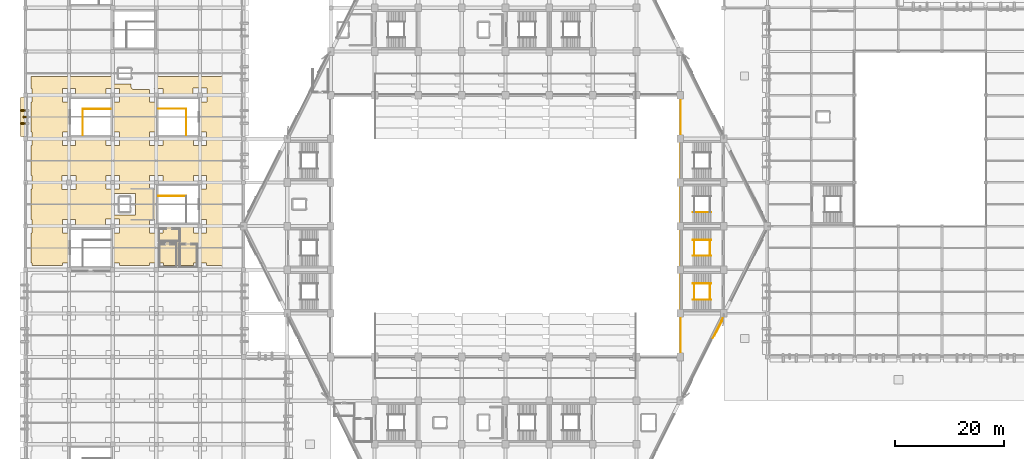
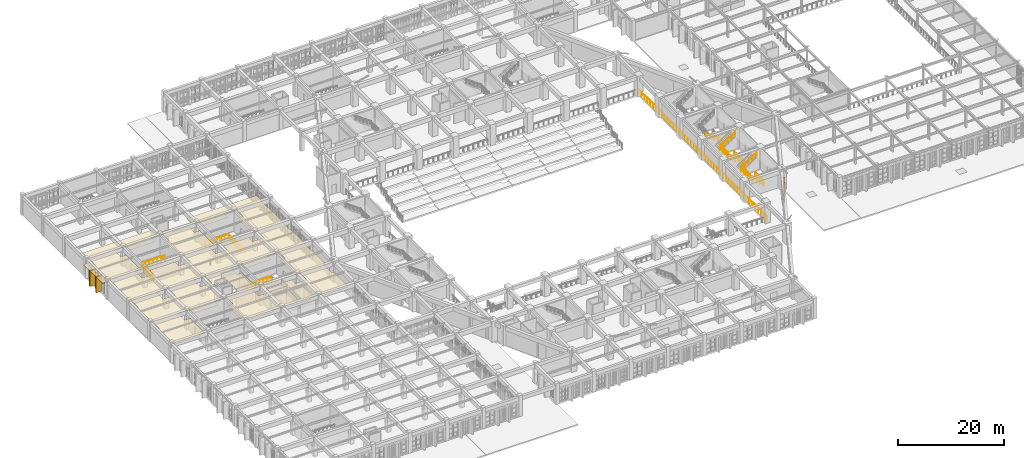
# One storey, part 150 of 155: 15 railings, 5 coverings, 2 shading devices.
"""IFC4 building model written with IfcOpenShell, lengths in metres."""

from ifc_helpers import new_model, si_unit, direction, frame, origin, origin_2d, place, context, subcontext, project, spatial, polyline, rectangle, circle, outline, extrude, material, layer, layer_set, type_object, element, save


model = new_model("IFC4")

# Units and contexts
model_context = context("Model", 3, precision=1e-05, world=origin(), true_north=direction((0.0, 1.0)))
body_context = subcontext(model_context, "Body", "Model", "MODEL_VIEW")
ifc_project = project(units=[si_unit("LENGTHUNIT", "METRE"), si_unit("AREAUNIT", "SQUARE_METRE"), si_unit("VOLUMEUNIT", "CUBIC_METRE"), si_unit("PLANEANGLEUNIT", "RADIAN"), si_unit("MASSUNIT", "GRAM", prefix="KILO")], contexts=[model_context])

# Site, building, storey
site_placement = place(None, origin())
site = spatial("IfcSite", under=ifc_project, at=site_placement, CompositionType="ELEMENT")
building_placement = place(site_placement, origin())
building = spatial("IfcBuilding", under=site, at=building_placement, Name="Tazarka Park Arena", CompositionType="ELEMENT")
storey_placement = place(building_placement, frame((0.0, 0.0, 5.39990234375)))
storey = spatial("IfcBuildingStorey", under=building, at=storey_placement, Name="L01", CompositionType="ELEMENT", Elevation=5.39990234375)

# Coverings
ifc_material_1 = material(Name="Dark ribbed perforated bronze-charcoal aluminium mesh", Category="aluminium")
ifc_layer_1 = layer(ifc_material_1, 0.06005859375, Name="Dark ribbed perforated bronze-charcoal aluminium mesh")
ifc_layer_set_1 = layer_set([ifc_layer_1], Name="Dark ribbed perforated bronze-charcoal aluminium mesh")
covering_type_1 = type_object("IfcCoveringType", Name="CLD-01", PredefinedType="CLADDING", material=ifc_layer_set_1)
covering_1_placement = place(storey_placement, frame((126.897216796875, 45.269287109375, 0.0), z_axis=(0.0, 0.0, 1.0), x_axis=(-0.447290848419, -0.89438856037, 0.0)))
element("IfcCovering", 1, at=covering_1_placement, inside=storey, type_object=covering_type_1, Name="Ribbed Metal Mesh Cladding EW-L01-0159", PredefinedType="CLADDING", context=body_context, shape_type="SweptSolid", body=[
    extrude(rectangle(XDim=4.05078125, YDim=0.06005859375, at=origin_2d()), origin(), (0.0, 0.0, 1.0), 3.449951171875),
])
for number, where, z_axis, x_axis, name in (
    (2, (-0.330078125, 82.818359375, 0.0), (0.0, 0.0, 1.0), (0.0, 1.0, 0.0), "Brutalist Precast Brise-Soleil Blade L01-136-1"),
    (3, (-0.330078125, 85.181640625, 0.0), (0.0, 0.0, 1.0), (0.0, 1.0, 0.0), "Brutalist Precast Brise-Soleil Blade L01-136-2"),
):
    element("IfcCovering", number, at=place(storey_placement, frame(where, z_axis=z_axis, x_axis=x_axis)), inside=storey, type_object=covering_type_1, Name=name, PredefinedType="CLADDING", context=body_context, shape_type="SweptSolid", body=[
        extrude(rectangle(XDim=0.320068359375, YDim=1.300048828125, at=origin_2d()), origin(), (0.0, 0.0, 1.0), 3.60009765625),
    ])
ifc_material_2 = material(Name="Linear slatted timber-acoustic ceiling", Category="wood")
ifc_layer_2 = layer(ifc_material_2, 0.050048828125, Name="Linear slatted timber-acoustic ceiling")
ifc_layer_set_2 = layer_set([ifc_layer_2], Name="Linear slatted timber-acoustic ceiling")
covering_type_2 = type_object("IfcCoveringType", Name="CLG-02", PredefinedType="CEILING", material=ifc_layer_set_2)
covering_2_placement = place(storey_placement, frame((0.0, 0.0, 3.10009765625)))
element("IfcCovering", 4, at=covering_2_placement, inside=storey, type_object=covering_type_2, Name="Acoustic Ceiling West Park Club Lounge 4", PredefinedType="CEILING", context=body_context, shape_type="SweptSolid", body=[
    extrude(outline(polyline([(16.199951171875, 91.449951171875), (16.199951171875, 90.0), (19.360595703125, 90.0), (19.360595703125, 89.586181640625), (19.36279296875, 89.5419921875), (19.369384765625, 89.498291015625), (19.380126953125, 89.45556640625), (19.39501953125, 89.4140625), (19.413818359375, 89.374267578125), (19.46435546875, 89.27978515625), (19.48876953125, 89.2392578125), (19.517333984375, 89.201416015625), (19.5498046875, 89.1669921875), (19.58544921875, 89.135986328125), (19.62451171875, 89.109130859375), (19.666015625, 89.08642578125), (19.70947265625, 89.068115234375), (19.79833984375, 89.036376953125), (19.8359375, 89.024658203125), (19.87451171875, 89.016357421875), (19.913818359375, 89.011474609375), (19.953125, 89.010009765625), (22.77490234375, 89.0302734375), (22.77490234375, 86.77490234375), (23.89990234375, 86.77490234375), (23.89990234375, 81.22509765625), (22.77490234375, 81.22509765625), (22.77490234375, 78.77490234375), (25.22509765625, 78.77490234375), (25.22509765625, 80.199951171875), (30.77490234375, 80.199951171875), (30.77490234375, 78.77490234375), (33.22509765625, 78.77490234375), (33.22509765625, 81.22509765625), (32.10009765625, 81.22509765625), (32.10009765625, 86.72509765625), (33.27490234375, 86.72509765625), (33.27490234375, 89.27490234375), (30.72509765625, 89.27490234375), (30.72509765625, 87.800048828125), (25.22509765625, 87.800048828125), (25.22509765625, 89.22509765625), (23.595703125, 89.22509765625), (23.602294921875, 89.23388671875), (23.624755859375, 89.271484375), (23.68701171875, 89.387939453125), (23.705810546875, 89.427734375), (23.720703125, 89.469482421875), (23.7314453125, 89.51220703125), (23.73779296875, 89.555908203125), (23.739990234375, 89.60009765625), (23.739990234375, 91.449951171875), (38.949951171875, 91.449951171875), (38.949951171875, 89.22509765625), (38.77490234375, 89.22509765625), (38.77490234375, 86.77490234375), (38.949951171875, 86.77490234375), (38.949951171875, 81.27490234375), (38.72509765625, 81.27490234375), (38.72509765625, 78.72509765625), (38.949951171875, 78.72509765625), (38.949951171875, 73.22509765625), (38.77490234375, 73.22509765625), (38.77490234375, 70.77490234375), (38.949951171875, 70.77490234375), (38.949951171875, 65.550048828125), (38.550048828125, 65.550048828125), (38.550048828125, 62.449951171875), (38.949951171875, 62.449951171875), (38.949951171875, 57.22509765625), (38.77490234375, 57.22509765625), (38.77490234375, 56.75), (33.22509765625, 56.75), (33.22509765625, 57.22509765625), (30.77490234375, 57.22509765625), (30.77490234375, 56.75), (25.27490234375, 56.75), (25.27490234375, 57.27490234375), (22.72509765625, 57.27490234375), (22.72509765625, 56.75), (17.22509765625, 56.75), (17.22509765625, 57.22509765625), (16.10009765625, 57.22509765625), (16.10009765625, 62.72509765625), (17.27490234375, 62.72509765625), (17.27490234375, 65.27490234375), (14.72509765625, 65.27490234375), (14.72509765625, 63.800048828125), (9.22509765625, 63.800048828125), (9.22509765625, 65.22509765625), (6.77490234375, 65.22509765625), (6.77490234375, 62.77490234375), (7.89990234375, 62.77490234375), (7.89990234375, 57.22509765625), (6.77490234375, 57.22509765625), (6.77490234375, 56.75), (1.22509765625, 56.75), (1.22509765625, 57.22509765625), (1.050048828125, 57.22509765625), (1.050048828125, 62.77490234375), (1.22509765625, 62.77490234375), (1.22509765625, 65.22509765625), (1.050048828125, 65.22509765625), (1.050048828125, 70.77490234375), (1.22509765625, 70.77490234375), (1.22509765625, 73.22509765625), (1.050048828125, 73.22509765625), (1.050048828125, 78.77490234375), (1.22509765625, 78.77490234375), (1.22509765625, 81.22509765625), (1.050048828125, 81.22509765625), (1.050048828125, 86.77490234375), (1.22509765625, 86.77490234375), (1.22509765625, 89.22509765625), (1.050048828125, 89.22509765625), (1.050048828125, 91.449951171875), (16.199951171875, 91.449951171875)]), holes=[polyline([(20.199951171875, 66.0), (20.199951171875, 70.0), (16.199951171875, 70.0), (16.199951171875, 66.0), (20.199951171875, 66.0)]), polyline([(17.22509765625, 70.77490234375), (17.22509765625, 73.22509765625), (14.77490234375, 73.22509765625), (14.77490234375, 70.77490234375), (17.22509765625, 70.77490234375)]), polyline([(9.27490234375, 73.27490234375), (6.72509765625, 73.27490234375), (6.72509765625, 70.72509765625), (9.27490234375, 70.72509765625), (9.27490234375, 73.27490234375)]), polyline([(9.22509765625, 80.199951171875), (14.77490234375, 80.199951171875), (14.77490234375, 78.77490234375), (17.22509765625, 78.77490234375), (17.22509765625, 81.22509765625), (16.10009765625, 81.22509765625), (16.10009765625, 86.77490234375), (17.22509765625, 86.77490234375), (17.22509765625, 89.22509765625), (14.77490234375, 89.22509765625), (14.77490234375, 87.800048828125), (9.22509765625, 87.800048828125), (9.22509765625, 89.22509765625), (6.77490234375, 89.22509765625), (6.77490234375, 86.77490234375), (7.89990234375, 86.77490234375), (7.89990234375, 81.22509765625), (6.77490234375, 81.22509765625), (6.77490234375, 78.77490234375), (9.22509765625, 78.77490234375), (9.22509765625, 80.199951171875)]), polyline([(25.22509765625, 73.22509765625), (22.77490234375, 73.22509765625), (22.77490234375, 70.77490234375), (23.89990234375, 70.77490234375), (23.89990234375, 65.22509765625), (22.77490234375, 65.22509765625), (22.77490234375, 62.77490234375), (25.22509765625, 62.77490234375), (25.22509765625, 64.199951171875), (30.77490234375, 64.199951171875), (30.77490234375, 62.77490234375), (33.22509765625, 62.77490234375), (33.22509765625, 65.22509765625), (32.10009765625, 65.22509765625), (32.10009765625, 70.77490234375), (33.22509765625, 70.77490234375), (33.22509765625, 73.22509765625), (30.77490234375, 73.22509765625), (30.77490234375, 71.800048828125), (25.22509765625, 71.800048828125), (25.22509765625, 73.22509765625)])]), origin(), (0.0, 0.0, 1.0), 0.050048828125),
])

# Railings
ifc_material_3 = material(Name="Brushed architectural stainless steel", Category="steel")
railing_type_1 = type_object("IfcRailingType", Name="HR-01", PredefinedType="HANDRAIL", material=ifc_material_3)
railing_1_placement = place(storey_placement, frame((125.68505859375, 58.550048828125, 0.0)))
element("IfcRailing", 5, at=railing_1_placement, inside=storey, type_object=railing_type_1, Name="Stair Handrail ST12-L01-F1", PredefinedType="HANDRAIL", context=body_context, shape_type="SweptSolid", body=[
    extrude(circle(Radius=0.02392578125, at=origin_2d()), frame((0.0, 0.0, 0.89599609375), z_axis=(-0.809980229442, 0.0, 0.586457183359), x_axis=(0.0, -1.0, 0.0)), (0.0, 0.0, 1.0), 4.092529296875),
    extrude(circle(Radius=0.02099609375, at=origin_2d()), origin(), (0.0, 0.0, 1.0), 0.871826171875),
    extrude(circle(Radius=0.02099609375, at=origin_2d()), frame((-0.82861328125, 0.0, 0.60009765625)), (0.0, 0.0, 1.0), 0.871826171875),
    extrude(circle(Radius=0.02099609375, at=origin_2d()), frame((-1.657470703125, 0.0, 1.2001953125)), (0.0, 0.0, 1.0), 0.871826171875),
    extrude(circle(Radius=0.02099609375, at=origin_2d()), frame((-2.486328125, 0.0, 1.800048828125)), (0.0, 0.0, 1.0), 0.871826171875),
    extrude(circle(Radius=0.02099609375, at=origin_2d()), frame((-3.31494140625, 0.0, 2.400146484375)), (0.0, 0.0, 1.0), 0.871826171875),
])
railing_2_placement = place(storey_placement, frame((122.3701171875, 61.449951171875, 2.400146484375)))
element("IfcRailing", 6, at=railing_2_placement, inside=storey, type_object=railing_type_1, Name="Stair Handrail ST12-L01-F2", PredefinedType="HANDRAIL", context=body_context, shape_type="SweptSolid", body=[
    extrude(circle(Radius=0.02392578125, at=origin_2d()), frame((0.0, 0.0, 0.89599609375), z_axis=(0.810008566192, 0.0, 0.586418044312), x_axis=(0.0, 1.0, 0.0)), (0.0, 0.0, 1.0), 4.092529296875),
    extrude(circle(Radius=0.02099609375, at=origin_2d()), origin(), (0.0, 0.0, 1.0), 0.871826171875),
    extrude(circle(Radius=0.02099609375, at=origin_2d()), frame((0.82861328125, 0.0, 0.60009765625)), (0.0, 0.0, 1.0), 0.871826171875),
    extrude(circle(Radius=0.02099609375, at=origin_2d()), frame((1.657470703125, 0.0, 1.199951171875)), (0.0, 0.0, 1.0), 0.871826171875),
    extrude(circle(Radius=0.02099609375, at=origin_2d()), frame((2.486328125, 0.0, 1.7998046875)), (0.0, 0.0, 1.0), 0.871826171875),
    extrude(circle(Radius=0.02099609375, at=origin_2d()), frame((3.31494140625, 0.0, 2.39990234375)), (0.0, 0.0, 1.0), 0.871826171875),
])
for number, where, name in (
    (7, (125.68505859375, 66.550048828125, 0.0), "Stair Handrail ST16-L01-F1"),
    (8, (125.68505859375, 50.510009765625, 0.0), "Stair Handrail ST21-L01-F1"),
):
    element("IfcRailing", number, at=place(storey_placement, frame(where)), inside=storey, type_object=railing_type_1, Name=name, PredefinedType="HANDRAIL", context=body_context, shape_type="SweptSolid", body=[
        extrude(circle(Radius=0.02392578125, at=origin_2d()), frame((0.0, 0.0, 0.89599609375), z_axis=(-0.809980229442, 0.0, 0.586457183359), x_axis=(0.0, -1.0, 0.0)), (0.0, 0.0, 1.0), 4.092529296875),
        extrude(circle(Radius=0.02099609375, at=origin_2d()), origin(), (0.0, 0.0, 1.0), 0.871826171875),
        extrude(circle(Radius=0.02099609375, at=origin_2d()), frame((-0.82861328125, 0.0, 0.60009765625)), (0.0, 0.0, 1.0), 0.871826171875),
        extrude(circle(Radius=0.02099609375, at=origin_2d()), frame((-1.657470703125, 0.0, 1.2001953125)), (0.0, 0.0, 1.0), 0.871826171875),
        extrude(circle(Radius=0.02099609375, at=origin_2d()), frame((-2.486328125, 0.0, 1.800048828125)), (0.0, 0.0, 1.0), 0.871826171875),
        extrude(circle(Radius=0.02099609375, at=origin_2d()), frame((-3.31494140625, 0.0, 2.400146484375)), (0.0, 0.0, 1.0), 0.871826171875),
    ])
railing_3_placement = place(storey_placement, frame((122.3701171875, 53.489990234375, 2.400146484375)))
element("IfcRailing", 9, at=railing_3_placement, inside=storey, type_object=railing_type_1, Name="Stair Handrail ST21-L01-F2", PredefinedType="HANDRAIL", context=body_context, shape_type="SweptSolid", body=[
    extrude(circle(Radius=0.02392578125, at=origin_2d()), frame((0.0, 0.0, 0.89599609375), z_axis=(0.810008566192, 0.0, 0.586418044312), x_axis=(0.0, 1.0, 0.0)), (0.0, 0.0, 1.0), 4.092529296875),
    extrude(circle(Radius=0.02099609375, at=origin_2d()), origin(), (0.0, 0.0, 1.0), 0.871826171875),
    extrude(circle(Radius=0.02099609375, at=origin_2d()), frame((0.82861328125, 0.0, 0.60009765625)), (0.0, 0.0, 1.0), 0.871826171875),
    extrude(circle(Radius=0.02099609375, at=origin_2d()), frame((1.657470703125, 0.0, 1.199951171875)), (0.0, 0.0, 1.0), 0.871826171875),
    extrude(circle(Radius=0.02099609375, at=origin_2d()), frame((2.486328125, 0.0, 1.7998046875)), (0.0, 0.0, 1.0), 0.871826171875),
    extrude(circle(Radius=0.02099609375, at=origin_2d()), frame((3.31494140625, 0.0, 2.39990234375)), (0.0, 0.0, 1.0), 0.871826171875),
])
ifc_material_4 = material(Name="Galvanised powder-coated architectural steel", Category="steel")
railing_type_2 = type_object("IfcRailingType", Name="IGR-01", PredefinedType="GUARDRAIL", material=ifc_material_4)
railing_4_placement = place(storey_placement, frame((10.514892578125, 80.679931640625, 0.0)))
element("IfcRailing", 10, at=railing_4_placement, inside=storey, type_object=railing_type_2, Name="Stair Well Guardrail ST02-L01", PredefinedType="GUARDRAIL", context=body_context, shape_type="SweptSolid", body=[
    extrude(circle(Radius=0.02392578125, at=origin_2d()), frame((0.0, 0.0, 1.1259765625), z_axis=(0.0, 1.0, 0.0), x_axis=(-1.0, 0.0, 0.0)), (0.0, 0.0, 1.0), 4.77001953125),
    extrude(circle(Radius=0.02099609375, at=origin_2d()), origin(), (0.0, 0.0, 1.0), 1.101806640625),
    extrude(circle(Radius=0.02099609375, at=origin_2d()), frame((0.0, 0.794921875, 0.0)), (0.0, 0.0, 1.0), 1.101806640625),
    extrude(circle(Radius=0.02099609375, at=origin_2d()), frame((0.0, 1.590087890625, 0.0)), (0.0, 0.0, 1.0), 1.101806640625),
    extrude(circle(Radius=0.02099609375, at=origin_2d()), frame((0.0, 2.385009765625, 0.0)), (0.0, 0.0, 1.0), 1.101806640625),
    extrude(circle(Radius=0.02099609375, at=origin_2d()), frame((0.0, 3.179931640625, 0.0)), (0.0, 0.0, 1.0), 1.101806640625),
    extrude(circle(Radius=0.02099609375, at=origin_2d()), frame((0.0, 3.97509765625, 0.0)), (0.0, 0.0, 1.0), 1.101806640625),
    extrude(circle(Radius=0.02099609375, at=origin_2d()), frame((0.0, 4.77001953125, 0.0)), (0.0, 0.0, 1.0), 1.101806640625),
])
railing_5_placement = place(storey_placement, frame((10.514892578125, 85.449951171875, 0.0)))
element("IfcRailing", 11, at=railing_5_placement, inside=storey, type_object=railing_type_2, Name="Top Well Guardrail ST02-L01", PredefinedType="GUARDRAIL", context=body_context, shape_type="SweptSolid", body=[
    extrude(circle(Radius=0.02392578125, at=origin_2d()), frame((0.0, 0.0, 1.1259765625), z_axis=(1.0, 0.0, 0.0), x_axis=(0.0, 1.0, 0.0)), (0.0, 0.0, 1.0), 5.105224609375),
    extrude(circle(Radius=0.02099609375, at=origin_2d()), origin(), (0.0, 0.0, 1.0), 1.101806640625),
    extrude(circle(Radius=0.02099609375, at=origin_2d()), frame((0.850830078125, 0.0, 0.0)), (0.0, 0.0, 1.0), 1.101806640625),
    extrude(circle(Radius=0.02099609375, at=origin_2d()), frame((1.70166015625, 0.0, 0.0)), (0.0, 0.0, 1.0), 1.101806640625),
    extrude(circle(Radius=0.02099609375, at=origin_2d()), frame((2.552734375, 0.0, 0.0)), (0.0, 0.0, 1.0), 1.101806640625),
    extrude(circle(Radius=0.02099609375, at=origin_2d()), frame((3.403564453125, 0.0, 0.0)), (0.0, 0.0, 1.0), 1.101806640625),
    extrude(circle(Radius=0.02099609375, at=origin_2d()), frame((4.25439453125, 0.0, 0.0)), (0.0, 0.0, 1.0), 1.101806640625),
    extrude(circle(Radius=0.02099609375, at=origin_2d()), frame((5.105224609375, 0.0, 0.0)), (0.0, 0.0, 1.0), 1.101806640625),
])
for number, where, name in (
    (12, (125.485107421875, 58.550048828125, 0.0), "Stair Well Guardrail ST12-L01"),
    (13, (122.570068359375, 58.550048828125, 2.400146484375), "Landing Guardrail ST12-L01-M"),
):
    element("IfcRailing", number, at=place(storey_placement, frame(where)), inside=storey, type_object=railing_type_2, Name=name, PredefinedType="GUARDRAIL", context=body_context, shape_type="SweptSolid", body=[
        extrude(circle(Radius=0.02392578125, at=origin_2d()), frame((0.0, 0.0, 1.1259765625), z_axis=(0.0, 1.0, 0.0), x_axis=(-1.0, 0.0, 0.0)), (0.0, 0.0, 1.0), 2.89990234375),
        extrude(circle(Radius=0.02099609375, at=origin_2d()), origin(), (0.0, 0.0, 1.0), 1.101806640625),
        extrude(circle(Radius=0.02099609375, at=origin_2d()), frame((0.0, 0.72509765625, 0.0)), (0.0, 0.0, 1.0), 1.101806640625),
        extrude(circle(Radius=0.02099609375, at=origin_2d()), frame((0.0, 1.449951171875, 0.0)), (0.0, 0.0, 1.0), 1.101806640625),
        extrude(circle(Radius=0.02099609375, at=origin_2d()), frame((0.0, 2.1748046875, 0.0)), (0.0, 0.0, 1.0), 1.101806640625),
        extrude(circle(Radius=0.02099609375, at=origin_2d()), frame((0.0, 2.89990234375, 0.0)), (0.0, 0.0, 1.0), 1.101806640625),
    ])
for number, where, name in (
    (14, (125.485107421875, 50.510009765625, 0.0), "Stair Well Guardrail ST21-L01"),
    (15, (122.570068359375, 50.510009765625, 2.400146484375), "Landing Guardrail ST21-L01-M"),
):
    element("IfcRailing", number, at=place(storey_placement, frame(where)), inside=storey, type_object=railing_type_2, Name=name, PredefinedType="GUARDRAIL", context=body_context, shape_type="SweptSolid", body=[
        extrude(circle(Radius=0.02392578125, at=origin_2d()), frame((0.0, 0.0, 1.1259765625), z_axis=(0.0, 1.0, 0.0), x_axis=(-1.0, 0.0, 0.0)), (0.0, 0.0, 1.0), 2.97998046875),
        extrude(circle(Radius=0.02099609375, at=origin_2d()), origin(), (0.0, 0.0, 1.0), 1.101806640625),
        extrude(circle(Radius=0.02099609375, at=origin_2d()), frame((0.0, 0.7451171875, 0.0)), (0.0, 0.0, 1.0), 1.101806640625),
        extrude(circle(Radius=0.02099609375, at=origin_2d()), frame((0.0, 1.489990234375, 0.0)), (0.0, 0.0, 1.0), 1.101806640625),
        extrude(circle(Radius=0.02099609375, at=origin_2d()), frame((0.0, 2.23486328125, 0.0)), (0.0, 0.0, 1.0), 1.101806640625),
        extrude(circle(Radius=0.02099609375, at=origin_2d()), frame((0.0, 2.97998046875, 0.0)), (0.0, 0.0, 1.0), 1.101806640625),
    ])
railing_6_placement = place(storey_placement, frame((29.485107421875, 69.489990234375, 0.0)))
element("IfcRailing", 16, at=railing_6_placement, inside=storey, type_object=railing_type_2, Name="Top Well Guardrail ST24-L01", PredefinedType="GUARDRAIL", context=body_context, shape_type="SweptSolid", body=[
    extrude(circle(Radius=0.02392578125, at=origin_2d()), frame((0.0, 0.0, 1.1259765625), z_axis=(-1.0, 0.0, 0.0), x_axis=(0.0, -1.0, 0.0)), (0.0, 0.0, 1.0), 5.105224609375),
    extrude(circle(Radius=0.02099609375, at=origin_2d()), origin(), (0.0, 0.0, 1.0), 1.101806640625),
    extrude(circle(Radius=0.02099609375, at=origin_2d()), frame((-0.850830078125, 0.0, 0.0)), (0.0, 0.0, 1.0), 1.101806640625),
    extrude(circle(Radius=0.02099609375, at=origin_2d()), frame((-1.70166015625, 0.0, 0.0)), (0.0, 0.0, 1.0), 1.101806640625),
    extrude(circle(Radius=0.02099609375, at=origin_2d()), frame((-2.552734375, 0.0, 0.0)), (0.0, 0.0, 1.0), 1.101806640625),
    extrude(circle(Radius=0.02099609375, at=origin_2d()), frame((-3.403564453125, 0.0, 0.0)), (0.0, 0.0, 1.0), 1.101806640625),
    extrude(circle(Radius=0.02099609375, at=origin_2d()), frame((-4.25439453125, 0.0, 0.0)), (0.0, 0.0, 1.0), 1.101806640625),
    extrude(circle(Radius=0.02099609375, at=origin_2d()), frame((-5.105224609375, 0.0, 0.0)), (0.0, 0.0, 1.0), 1.101806640625),
])
railing_7_placement = place(storey_placement, frame((29.485107421875, 80.679931640625, 0.0)))
element("IfcRailing", 17, at=railing_7_placement, inside=storey, type_object=railing_type_2, Name="Stair Well Guardrail ST26-L01", PredefinedType="GUARDRAIL", context=body_context, shape_type="SweptSolid", body=[
    extrude(circle(Radius=0.02392578125, at=origin_2d()), frame((0.0, 0.0, 1.1259765625), z_axis=(0.0, 1.0, 0.0), x_axis=(-1.0, 0.0, 0.0)), (0.0, 0.0, 1.0), 4.81005859375),
    extrude(circle(Radius=0.02099609375, at=origin_2d()), origin(), (0.0, 0.0, 1.0), 1.101806640625),
    extrude(circle(Radius=0.02099609375, at=origin_2d()), frame((0.0, 0.8017578125, 0.0)), (0.0, 0.0, 1.0), 1.101806640625),
    extrude(circle(Radius=0.02099609375, at=origin_2d()), frame((0.0, 1.603271484375, 0.0)), (0.0, 0.0, 1.0), 1.101806640625),
    extrude(circle(Radius=0.02099609375, at=origin_2d()), frame((0.0, 2.405029296875, 0.0)), (0.0, 0.0, 1.0), 1.101806640625),
    extrude(circle(Radius=0.02099609375, at=origin_2d()), frame((0.0, 3.206787109375, 0.0)), (0.0, 0.0, 1.0), 1.101806640625),
    extrude(circle(Radius=0.02099609375, at=origin_2d()), frame((0.0, 4.00830078125, 0.0)), (0.0, 0.0, 1.0), 1.101806640625),
    extrude(circle(Radius=0.02099609375, at=origin_2d()), frame((0.0, 4.81005859375, 0.0)), (0.0, 0.0, 1.0), 1.101806640625),
])
railing_8_placement = place(storey_placement, frame((29.485107421875, 85.489990234375, 0.0)))
element("IfcRailing", 18, at=railing_8_placement, inside=storey, type_object=railing_type_2, Name="Top Well Guardrail ST26-L01", PredefinedType="GUARDRAIL", context=body_context, shape_type="SweptSolid", body=[
    extrude(circle(Radius=0.02392578125, at=origin_2d()), frame((0.0, 0.0, 1.1259765625), z_axis=(-1.0, 0.0, 0.0), x_axis=(0.0, -1.0, 0.0)), (0.0, 0.0, 1.0), 5.105224609375),
    extrude(circle(Radius=0.02099609375, at=origin_2d()), origin(), (0.0, 0.0, 1.0), 1.101806640625),
    extrude(circle(Radius=0.02099609375, at=origin_2d()), frame((-0.850830078125, 0.0, 0.0)), (0.0, 0.0, 1.0), 1.101806640625),
    extrude(circle(Radius=0.02099609375, at=origin_2d()), frame((-1.70166015625, 0.0, 0.0)), (0.0, 0.0, 1.0), 1.101806640625),
    extrude(circle(Radius=0.02099609375, at=origin_2d()), frame((-2.552734375, 0.0, 0.0)), (0.0, 0.0, 1.0), 1.101806640625),
    extrude(circle(Radius=0.02099609375, at=origin_2d()), frame((-3.403564453125, 0.0, 0.0)), (0.0, 0.0, 1.0), 1.101806640625),
    extrude(circle(Radius=0.02099609375, at=origin_2d()), frame((-4.25439453125, 0.0, 0.0)), (0.0, 0.0, 1.0), 1.101806640625),
    extrude(circle(Radius=0.02099609375, at=origin_2d()), frame((-5.105224609375, 0.0, 0.0)), (0.0, 0.0, 1.0), 1.101806640625),
])
railing_9_placement = place(storey_placement, frame((120.1201171875, 39.8798828125, 0.0)))
element("IfcRailing", 19, at=railing_9_placement, inside=storey, type_object=railing_type_2, Name="Interior Barrier Guardrail IGR-01-002", PredefinedType="GUARDRAIL", context=body_context, shape_type="SweptSolid", body=[
    extrude(circle(Radius=0.02392578125, at=origin_2d()), frame((0.0, 0.0, 1.1259765625), z_axis=(0.0, 1.0, 0.0), x_axis=(-1.0, 0.0, 0.0)), (0.0, 0.0, 1.0), 48.240234375),
    extrude(circle(Radius=0.02099609375, at=origin_2d()), origin(), (0.0, 0.0, 1.0), 1.101806640625),
    extrude(circle(Radius=0.02099609375, at=origin_2d()), frame((0.0, 1.096435546875, 0.0)), (0.0, 0.0, 1.0), 1.101806640625),
    extrude(circle(Radius=0.02099609375, at=origin_2d()), frame((0.0, 2.192626953125, 0.0)), (0.0, 0.0, 1.0), 1.101806640625),
    extrude(circle(Radius=0.02099609375, at=origin_2d()), frame((0.0, 3.2890625, 0.0)), (0.0, 0.0, 1.0), 1.101806640625),
    extrude(circle(Radius=0.02099609375, at=origin_2d()), frame((0.0, 4.385498046875, 0.0)), (0.0, 0.0, 1.0), 1.101806640625),
    extrude(circle(Radius=0.02099609375, at=origin_2d()), frame((0.0, 5.48193359375, 0.0)), (0.0, 0.0, 1.0), 1.101806640625),
    extrude(circle(Radius=0.02099609375, at=origin_2d()), frame((0.0, 6.578125, 0.0)), (0.0, 0.0, 1.0), 1.101806640625),
    extrude(circle(Radius=0.02099609375, at=origin_2d()), frame((0.0, 7.674560546875, 0.0)), (0.0, 0.0, 1.0), 1.101806640625),
    extrude(circle(Radius=0.02099609375, at=origin_2d()), frame((0.0, 8.77099609375, 0.0)), (0.0, 0.0, 1.0), 1.101806640625),
    extrude(circle(Radius=0.02099609375, at=origin_2d()), frame((0.0, 9.867431640625, 0.0)), (0.0, 0.0, 1.0), 1.101806640625),
    extrude(circle(Radius=0.02099609375, at=origin_2d()), frame((0.0, 10.963623046875, 0.0)), (0.0, 0.0, 1.0), 1.101806640625),
    extrude(circle(Radius=0.02099609375, at=origin_2d()), frame((0.0, 12.06005859375, 0.0)), (0.0, 0.0, 1.0), 1.101806640625),
    extrude(circle(Radius=0.02099609375, at=origin_2d()), frame((0.0, 13.156494140625, 0.0)), (0.0, 0.0, 1.0), 1.101806640625),
    extrude(circle(Radius=0.02099609375, at=origin_2d()), frame((0.0, 14.252685546875, 0.0)), (0.0, 0.0, 1.0), 1.101806640625),
    extrude(circle(Radius=0.02099609375, at=origin_2d()), frame((0.0, 15.34912109375, 0.0)), (0.0, 0.0, 1.0), 1.101806640625),
    extrude(circle(Radius=0.02099609375, at=origin_2d()), frame((0.0, 16.445556640625, 0.0)), (0.0, 0.0, 1.0), 1.101806640625),
    extrude(circle(Radius=0.02099609375, at=origin_2d()), frame((0.0, 17.5419921875, 0.0)), (0.0, 0.0, 1.0), 1.101806640625),
    extrude(circle(Radius=0.02099609375, at=origin_2d()), frame((0.0, 18.63818359375, 0.0)), (0.0, 0.0, 1.0), 1.101806640625),
    extrude(circle(Radius=0.02099609375, at=origin_2d()), frame((0.0, 19.734619140625, 0.0)), (0.0, 0.0, 1.0), 1.101806640625),
    extrude(circle(Radius=0.02099609375, at=origin_2d()), frame((0.0, 20.8310546875, 0.0)), (0.0, 0.0, 1.0), 1.101806640625),
    extrude(circle(Radius=0.02099609375, at=origin_2d()), frame((0.0, 21.927490234375, 0.0)), (0.0, 0.0, 1.0), 1.101806640625),
    extrude(circle(Radius=0.02099609375, at=origin_2d()), frame((0.0, 23.023681640625, 0.0)), (0.0, 0.0, 1.0), 1.101806640625),
    extrude(circle(Radius=0.02099609375, at=origin_2d()), frame((0.0, 24.1201171875, 0.0)), (0.0, 0.0, 1.0), 1.101806640625),
    extrude(circle(Radius=0.02099609375, at=origin_2d()), frame((0.0, 25.216552734375, 0.0)), (0.0, 0.0, 1.0), 1.101806640625),
    extrude(circle(Radius=0.02099609375, at=origin_2d()), frame((0.0, 26.312744140625, 0.0)), (0.0, 0.0, 1.0), 1.101806640625),
    extrude(circle(Radius=0.02099609375, at=origin_2d()), frame((0.0, 27.4091796875, 0.0)), (0.0, 0.0, 1.0), 1.101806640625),
    extrude(circle(Radius=0.02099609375, at=origin_2d()), frame((0.0, 28.505615234375, 0.0)), (0.0, 0.0, 1.0), 1.101806640625),
    extrude(circle(Radius=0.02099609375, at=origin_2d()), frame((0.0, 29.60205078125, 0.0)), (0.0, 0.0, 1.0), 1.101806640625),
    extrude(circle(Radius=0.02099609375, at=origin_2d()), frame((0.0, 30.6982421875, 0.0)), (0.0, 0.0, 1.0), 1.101806640625),
    extrude(circle(Radius=0.02099609375, at=origin_2d()), frame((0.0, 31.794677734375, 0.0)), (0.0, 0.0, 1.0), 1.101806640625),
    extrude(circle(Radius=0.02099609375, at=origin_2d()), frame((0.0, 32.89111328125, 0.0)), (0.0, 0.0, 1.0), 1.101806640625),
    extrude(circle(Radius=0.02099609375, at=origin_2d()), frame((0.0, 33.987548828125, 0.0)), (0.0, 0.0, 1.0), 1.101806640625),
    extrude(circle(Radius=0.02099609375, at=origin_2d()), frame((0.0, 35.083740234375, 0.0)), (0.0, 0.0, 1.0), 1.101806640625),
    extrude(circle(Radius=0.02099609375, at=origin_2d()), frame((0.0, 36.18017578125, 0.0)), (0.0, 0.0, 1.0), 1.101806640625),
    extrude(circle(Radius=0.02099609375, at=origin_2d()), frame((0.0, 37.276611328125, 0.0)), (0.0, 0.0, 1.0), 1.101806640625),
    extrude(circle(Radius=0.02099609375, at=origin_2d()), frame((0.0, 38.372802734375, 0.0)), (0.0, 0.0, 1.0), 1.101806640625),
    extrude(circle(Radius=0.02099609375, at=origin_2d()), frame((0.0, 39.46923828125, 0.0)), (0.0, 0.0, 1.0), 1.101806640625),
    extrude(circle(Radius=0.02099609375, at=origin_2d()), frame((0.0, 40.565673828125, 0.0)), (0.0, 0.0, 1.0), 1.101806640625),
    extrude(circle(Radius=0.02099609375, at=origin_2d()), frame((0.0, 41.662109375, 0.0)), (0.0, 0.0, 1.0), 1.101806640625),
    extrude(circle(Radius=0.02099609375, at=origin_2d()), frame((0.0, 42.75830078125, 0.0)), (0.0, 0.0, 1.0), 1.101806640625),
    extrude(circle(Radius=0.02099609375, at=origin_2d()), frame((0.0, 43.854736328125, 0.0)), (0.0, 0.0, 1.0), 1.101806640625),
    extrude(circle(Radius=0.02099609375, at=origin_2d()), frame((0.0, 44.951171875, 0.0)), (0.0, 0.0, 1.0), 1.101806640625),
    extrude(circle(Radius=0.02099609375, at=origin_2d()), frame((0.0, 46.047607421875, 0.0)), (0.0, 0.0, 1.0), 1.101806640625),
    extrude(circle(Radius=0.02099609375, at=origin_2d()), frame((0.0, 47.143798828125, 0.0)), (0.0, 0.0, 1.0), 1.101806640625),
    extrude(circle(Radius=0.02099609375, at=origin_2d()), frame((0.0, 48.240234375, 0.0)), (0.0, 0.0, 1.0), 1.101806640625),
])

# Covering
ifc_material_5 = material(Name="Standing-seam acoustic aluminium roofing membrane", Category="aluminium")
ifc_layer_3 = layer(ifc_material_5, 0.050048828125, Name="Standing-seam acoustic aluminium roofing membrane")
ifc_layer_set_3 = layer_set([ifc_layer_3], Name="Standing-seam acoustic aluminium roofing membrane")
covering_type_3 = type_object("IfcCoveringType", Name="RFG-01", PredefinedType="ROOFING", material=ifc_layer_set_3)
covering_3_placement = place(storey_placement, frame((0.0, 0.0, 3.360107421875)))
element("IfcCovering", 20, at=covering_3_placement, inside=storey, type_object=covering_type_3, Name="Brutalist Sun-Hood Overhang L01-136", PredefinedType="ROOFING", context=body_context, shape_type="SweptSolid", body=[
    extrude(outline(polyline([(0.320068359375, 80.455078125), (0.320068359375, 87.544921875), (-0.929931640625, 87.544921875), (-0.929931640625, 80.455078125), (0.320068359375, 80.455078125)])), origin(), (0.0, 0.0, 1.0), 0.219970703125),
])

# Shading devices
ifc_material_6 = material(Name="Precast concrete C40/50", Category="concrete")
shading_device_type_1 = type_object("IfcShadingDeviceType", Name="SHD-01", PredefinedType="SHUTTER", material=ifc_material_6)
shading_device_1_placement = place(storey_placement, frame((-0.02001953125, 84.0, -0.0400390625), z_axis=(0.0, 0.0, 1.0), x_axis=(0.0, 1.0, 0.0)))
element("IfcShadingDevice", 21, at=shading_device_1_placement, inside=storey, type_object=shading_device_type_1, Name="Brise-Soleil Fin BS-046", PredefinedType="SHUTTER", context=body_context, shape_type="SweptSolid", body=[
    extrude(rectangle(XDim=0.219970703125, YDim=0.719970703125, at=origin_2d()), origin(), (0.0, 0.0, 1.0), 3.679931640625),
])
ifc_material_7 = material(Name="Dark ribbed perforated bronze-charcoal aluminium mesh", Category="aluminium")
shading_device_type_2 = type_object("IfcShadingDeviceType", Name="SHD-02", PredefinedType="JALOUSIE", material=ifc_material_7)
shading_device_2_placement = place(storey_placement, frame((126.950927734375, 45.242431640625, 0.0), z_axis=(0.0, 0.0, 1.0), x_axis=(-0.447290848419, -0.89438856037, 0.0)))
element("IfcShadingDevice", 22, at=shading_device_2_placement, inside=storey, type_object=shading_device_type_2, Name="Perforated Mesh Screen EW-L01-0159", PredefinedType="JALOUSIE", context=body_context, shape_type="SweptSolid", body=[
    extrude(rectangle(XDim=3.0, YDim=0.139892578125, at=origin_2d()), origin(), (0.0, 0.0, 1.0), 3.449951171875),
])

save(model, "model.ifc")
